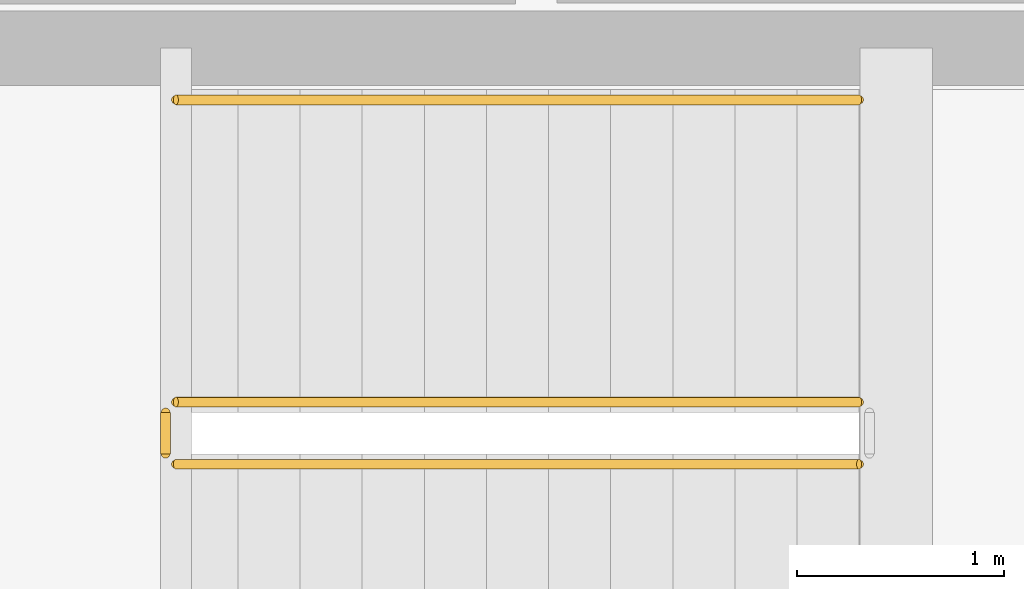
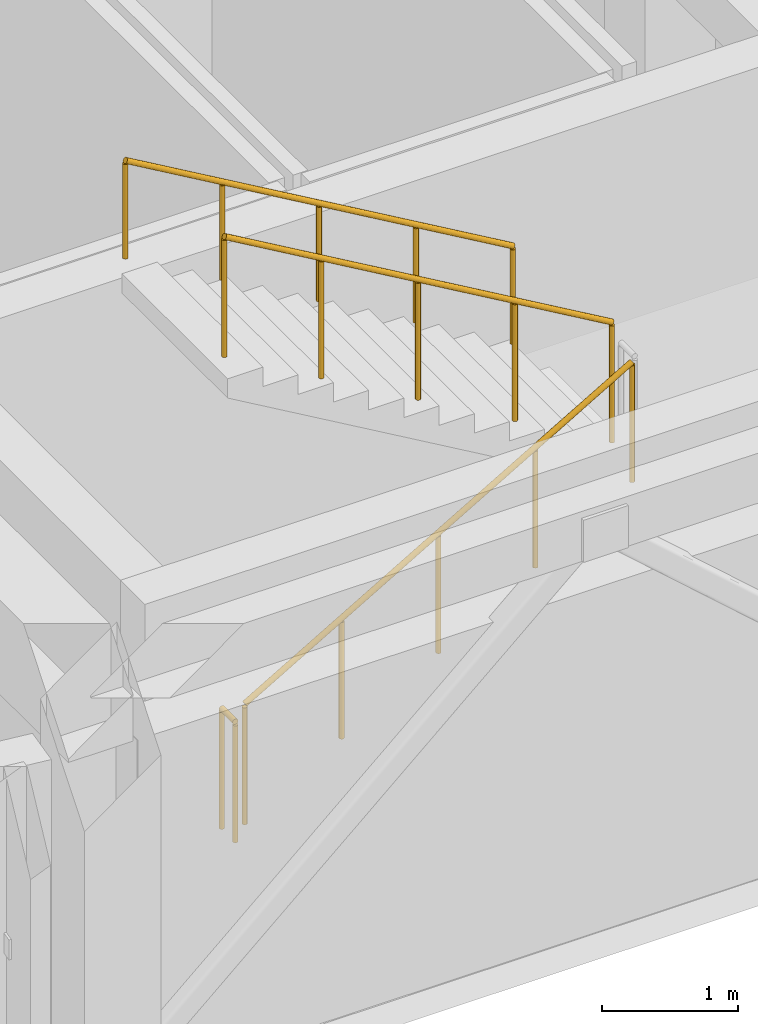
# One storey, part 24 of 29: 4 railings.
"""IFC4 building model written with IfcOpenShell, lengths in metres."""

import ifcopenshell
import ifcopenshell.guid

model = None  # the IFC model being written
_history = None  # IfcOwnerHistory: only IFC2X3 demands one
_inside = {}  # id of a spatial element -> (the spatial element, [elements in it])
_under = {}  # id of a project, library or spatial element -> (it, [spatial elements below it])
_declared = {}  # id of a project -> (the project, [libraries it declares])
_typed = {}  # id of a type object -> (the type object, [elements of that type])
_made_of = {}  # id of a material, layer set ... -> (it, [elements and type objects made of it])


def new_model(schema):
    """Start an empty IFC model of exactly this schema.

    Asked for "IFC4X3", IfcOpenShell would pick the latest addendum, in which some entities
    have other attributes; the version numbers below select the first issue.
    IFC2X3 requires an IfcOwnerHistory on every rooted entity: one is made here for all.
    """
    global model, _history
    if schema == "IFC4X3":
        model = ifcopenshell.file(schema_version=(4, 3, 0, 0))
    else:
        model = ifcopenshell.file(schema=schema)
    _inside.clear()
    _under.clear()
    _declared.clear()
    _typed.clear()
    _made_of.clear()
    _history = None
    if model.schema == "IFC2X3":
        org = make("IfcOrganization", Name="unknown")
        user = make(
            "IfcPersonAndOrganization",
            ThePerson=make("IfcPerson", FamilyName="unknown"),
            TheOrganization=org,
        )
        app = make(
            "IfcApplication",
            ApplicationDeveloper=org,
            Version="unknown",
            ApplicationFullName="unknown",
            ApplicationIdentifier="unknown",
        )
        _history = make(
            "IfcOwnerHistory",
            OwningUser=user,
            OwningApplication=app,
            ChangeAction="ADDED",
            CreationDate=0,
        )
    return model


def make(cls, **values):
    """One entity of the class cls with the attributes given. An attribute that is None is left unset."""
    return model.create_entity(
        cls, **{name: value for name, value in values.items() if value is not None}
    )


def rooted(cls, **values):
    """An entity with a GlobalId (a new one), such as an element, a storey or a relation."""
    return make(cls, GlobalId=ifcopenshell.guid.new(), OwnerHistory=_history, **values)


def si_unit(unit_type, name, prefix=None):
    """IfcSIUnit, for example si_unit("LENGTHUNIT", "METRE", prefix="MILLI")."""
    return make("IfcSIUnit", UnitType=unit_type, Prefix=prefix, Name=name)


def assignment(units):
    """IfcUnitAssignment: the units of a project."""
    return None if units is None else make("IfcUnitAssignment", Units=units)


def point(xyz):
    """IfcCartesianPoint."""
    return None if xyz is None else make("IfcCartesianPoint", Coordinates=xyz)


def direction(xyz):
    """IfcDirection."""
    return None if xyz is None else make("IfcDirection", DirectionRatios=xyz)


def frame(location, z_axis=None, x_axis=None):
    """IfcAxis2Placement3D, a coordinate frame: its origin and axes. An axis left out is left unset."""
    return make(
        "IfcAxis2Placement3D",
        Location=point(location),
        Axis=direction(z_axis),
        RefDirection=direction(x_axis),
    )


def frame_2d(location, x_axis=None):
    """IfcAxis2Placement2D, a coordinate frame in the plane: its origin and x axis."""
    return make(
        "IfcAxis2Placement2D", Location=point(location), RefDirection=direction(x_axis)
    )


def origin():
    """The frame at (0, 0, 0) with its axes left unset."""
    return frame((0.0, 0.0, 0.0))


def origin_2d():
    """The frame at (0, 0) in the plane with its x axis left unset."""
    return frame_2d((0.0, 0.0))


def place(relative_to, where):
    """IfcLocalPlacement: puts the frame where relative to a parent placement (None: the world)."""
    return make(
        "IfcLocalPlacement", PlacementRelTo=relative_to, RelativePlacement=where
    )


def context(
    kind, dimensions, precision=None, world=None, true_north=None, identifier=None
):
    """IfcGeometricRepresentationContext, for example the 3D "Model" context."""
    return make(
        "IfcGeometricRepresentationContext",
        ContextIdentifier=identifier,
        ContextType=kind,
        CoordinateSpaceDimension=dimensions,
        Precision=precision,
        WorldCoordinateSystem=world,
        TrueNorth=true_north,
    )


def subcontext(parent, identifier, kind, view, scale=None):
    """IfcGeometricRepresentationSubContext, for example "Body" below "Model"."""
    return make(
        "IfcGeometricRepresentationSubContext",
        ContextIdentifier=identifier,
        ContextType=kind,
        ParentContext=parent,
        TargetScale=scale,
        TargetView=view,
    )


def project(units=None, contexts=None):
    """IfcProject with its units and contexts."""
    return rooted(
        "IfcProject",
        Name="project",
        RepresentationContexts=contexts,
        UnitsInContext=assignment(units),
    )


def spatial(cls, under=None, at=None, **own):
    """A site, building, storey or space (cls), placed at a placement, below another one or the project."""
    s = rooted(cls, ObjectPlacement=at, **own)
    if under is not None:
        _under.setdefault(under.id(), (under, []))[1].append(s)
    return s


def profile(cls, at=None, kind="AREA", **sizes):
    """A parametric profile (cls). Its sizes go by their IFC names, for example OverallWidth=200.0."""
    return make(cls, ProfileType=kind, Position=at, **sizes)


def circle(**sizes):
    """IfcCircleProfileDef."""
    return profile("IfcCircleProfileDef", **sizes)


def extrude(swept, where, along, depth):
    """IfcExtrudedAreaSolid: the profile swept, set in the frame where, extruded along a direction by depth."""
    return make(
        "IfcExtrudedAreaSolid",
        SweptArea=swept,
        Position=where,
        ExtrudedDirection=direction(along),
        Depth=depth,
    )


def shape(context_of_items, identifier, shape_type, items):
    """IfcShapeRepresentation: the items that make up one representation, for example the "Body"."""
    return make(
        "IfcShapeRepresentation",
        ContextOfItems=context_of_items,
        RepresentationIdentifier=identifier,
        RepresentationType=shape_type,
        Items=items,
    )


def material(Name=None, Category=None):
    """IfcMaterial."""
    return make("IfcMaterial", Name=Name, Category=Category)


def made_of(thing, what):
    """Note that an element or type object is made of a material, layer set ...; save() writes the relation."""
    if what is not None:
        _made_of.setdefault(what.id(), (what, []))[1].append(thing)
    return thing


def type_object(cls, material=None, **own):
    """A type object (cls), such as IfcWallType, which elements share."""
    return made_of(rooted(cls, **own), material)


def element(
    cls,
    number,
    at=None,
    inside=None,
    cuts=None,
    type_object=None,
    material=None,
    context=None,
    identifier="Body",
    shape_type=None,
    held_by="IfcProductDefinitionShape",
    body=None,
    shapes=None,
    **own,
):
    """One element of the class cls, such as IfcWall. Its Tag is "e" and its number.

    at: its placement. inside: the storey or other place that contains it. cuts: it is an
    opening in that element (IfcRelVoidsElement). A single representation is given by context,
    identifier, shape_type and body (its items); several are given by shapes. held_by: the class
    of the entity that holds the representations. save() writes the other relations.
    """
    e = rooted(cls, Tag="e%d" % number, ObjectPlacement=at, **own)
    if body is not None:
        shapes = [shape(context, identifier, shape_type, body)]
    if shapes is not None:
        e.Representation = make(held_by, Representations=shapes)
    if inside is not None:
        _inside.setdefault(inside.id(), (inside, []))[1].append(e)
    if cuts is not None:
        rooted(
            "IfcRelVoidsElement", RelatingBuildingElement=cuts, RelatedOpeningElement=e
        )
    if type_object is not None:
        _typed.setdefault(type_object.id(), (type_object, []))[1].append(e)
    return made_of(e, material)


def aggregate(whole, parts):
    """IfcRelAggregates: a whole, such as a stair, and the parts it consists of."""
    return rooted("IfcRelAggregates", RelatingObject=whole, RelatedObjects=parts)


def save(model, path):
    """Write the relations noted so far, then the file.

    IfcRelAggregates (storeys below a building ...), IfcRelContainedInSpatialStructure (elements
    in a storey), IfcRelDefinesByType, IfcRelAssociatesMaterial and IfcRelDeclares: one each for
    every whole, place, type object, material and project.
    """
    for whole, parts in _under.values():
        aggregate(whole, parts)
    for where, things in _inside.values():
        rooted(
            "IfcRelContainedInSpatialStructure",
            RelatedElements=things,
            RelatingStructure=where,
        )
    for kind, things in _typed.values():
        rooted("IfcRelDefinesByType", RelatedObjects=things, RelatingType=kind)
    for what, things in _made_of.values():
        rooted("IfcRelAssociatesMaterial", RelatedObjects=things, RelatingMaterial=what)
    for by, libraries in _declared.values():
        rooted("IfcRelDeclares", RelatingContext=by, RelatedDefinitions=libraries)
    model.write(path)


model = new_model("IFC4")

# Units and contexts
model_context = context("Model", 3, precision=1e-05, world=origin(), true_north=direction((0.0, 1.0)))
body_context = subcontext(model_context, "Body", "Model", "MODEL_VIEW")
ifc_project = project(units=[si_unit("LENGTHUNIT", "METRE"), si_unit("AREAUNIT", "SQUARE_METRE"), si_unit("VOLUMEUNIT", "CUBIC_METRE"), si_unit("PLANEANGLEUNIT", "RADIAN"), si_unit("MASSUNIT", "GRAM", prefix="KILO")], contexts=[model_context])

# Site, building, storey
site_placement = place(None, origin())
site = spatial("IfcSite", under=ifc_project, at=site_placement, CompositionType="ELEMENT")
building_placement = place(site_placement, origin())
building = spatial("IfcBuilding", under=site, at=building_placement, Name="Tarnavel Promenade Courthouse", CompositionType="ELEMENT")
storey_placement = place(building_placement, frame((0.0, 0.0, 22.800048828125)))
storey = spatial("IfcBuildingStorey", under=building, at=storey_placement, Name="L06", CompositionType="ELEMENT", Elevation=22.800048828125)

# Railings
ifc_material_1 = material(Name="Brushed Bronze Tubular Stair Handrail")
railing_type_1 = type_object("IfcRailingType", Name="Brushed Bronze Tubular Stair Handrail (RL-HND-0900)", PredefinedType="HANDRAIL", material=ifc_material_1)
railing_1_placement = place(storey_placement, frame((64.659912109375, 83.27001953125, 2.27490234375)))
element("IfcRailing", 1, at=railing_1_placement, inside=storey, type_object=railing_type_1, Name="L06 ST-01 stair handrail 2", PredefinedType="HANDRAIL", context=body_context, shape_type="SweptSolid", body=[
    extrude(circle(Radius=0.02392578125, at=origin_2d()), frame((0.0, 0.0, 0.8759765625), z_axis=(-0.863760357493, 0.0, 0.503902812876), x_axis=(0.0, -1.0, 0.0)), (0.0, 0.0, 1.0), 3.8203125),
    extrude(circle(Radius=0.02099609375, at=origin_2d()), origin(), (0.0, 0.0, 1.0), 0.851806640625),
    extrude(circle(Radius=0.02099609375, at=origin_2d()), frame((-0.824951171875, 0.0, 0.481201171875)), (0.0, 0.0, 1.0), 0.851806640625),
    extrude(circle(Radius=0.02099609375, at=origin_2d()), frame((-1.64990234375, 0.0, 0.96240234375)), (0.0, 0.0, 1.0), 0.851806640625),
    extrude(circle(Radius=0.02099609375, at=origin_2d()), frame((-2.474853515625, 0.0, 1.44384765625)), (0.0, 0.0, 1.0), 0.851806640625),
    extrude(circle(Radius=0.02099609375, at=origin_2d()), frame((-3.2998046875, 0.0, 1.925048828125)), (0.0, 0.0, 1.0), 0.851806640625),
])
ifc_material_2 = material(Name="Painted Architectural Steel Core Stair Guardrail", Category="steel")
railing_type_2 = type_object("IfcRailingType", Name="Painted Architectural Steel Core Stair Guardrail (RL-GRD-1100)", PredefinedType="GUARDRAIL", material=ifc_material_2)
railing_2_placement = place(storey_placement, frame((61.360107421875, 81.510009765625, 0.175048828125)))
element("IfcRailing", 2, at=railing_2_placement, inside=storey, type_object=railing_type_2, Name="L06 ST-01 stair guard 1", PredefinedType="GUARDRAIL", context=body_context, shape_type="SweptSolid", body=[
    extrude(circle(Radius=0.02392578125, at=origin_2d()), frame((0.0, 0.0, 1.076171875), z_axis=(0.863788172461, 0.0, 0.503855131081), x_axis=(0.0, 1.0, 0.0)), (0.0, 0.0, 1.0), 3.820068359375),
    extrude(circle(Radius=0.02099609375, at=origin_2d()), origin(), (0.0, 0.0, 1.0), 1.052001953125),
    extrude(circle(Radius=0.02099609375, at=origin_2d()), frame((0.824951171875, 0.0, 0.481201171875)), (0.0, 0.0, 1.0), 1.052001953125),
    extrude(circle(Radius=0.02099609375, at=origin_2d()), frame((1.64990234375, 0.0, 0.96240234375)), (0.0, 0.0, 1.0), 1.052001953125),
    extrude(circle(Radius=0.02099609375, at=origin_2d()), frame((2.474853515625, 0.0, 1.443603515625)), (0.0, 0.0, 1.0), 1.052001953125),
    extrude(circle(Radius=0.02099609375, at=origin_2d()), frame((3.2998046875, 0.0, 1.9248046875)), (0.0, 0.0, 1.0), 1.052001953125),
])
railing_3_placement = place(storey_placement, frame((64.659912109375, 81.81005859375, 2.27490234375)))
element("IfcRailing", 3, at=railing_3_placement, inside=storey, type_object=railing_type_2, Name="L06 ST-01 stair guard 3", PredefinedType="GUARDRAIL", context=body_context, shape_type="SweptSolid", body=[
    extrude(circle(Radius=0.02392578125, at=origin_2d()), frame((0.0, 0.0, 1.076171875), z_axis=(-0.863760357493, 0.0, 0.503902812876), x_axis=(0.0, -1.0, 0.0)), (0.0, 0.0, 1.0), 3.8203125),
    extrude(circle(Radius=0.02099609375, at=origin_2d()), origin(), (0.0, 0.0, 1.0), 1.052001953125),
    extrude(circle(Radius=0.02099609375, at=origin_2d()), frame((-0.824951171875, 0.0, 0.481201171875)), (0.0, 0.0, 1.0), 1.052001953125),
    extrude(circle(Radius=0.02099609375, at=origin_2d()), frame((-1.64990234375, 0.0, 0.96240234375)), (0.0, 0.0, 1.0), 1.052001953125),
    extrude(circle(Radius=0.02099609375, at=origin_2d()), frame((-2.474853515625, 0.0, 1.44384765625)), (0.0, 0.0, 1.0), 1.052001953125),
    extrude(circle(Radius=0.02099609375, at=origin_2d()), frame((-3.2998046875, 0.0, 1.925048828125)), (0.0, 0.0, 1.0), 1.052001953125),
])
railing_4_placement = place(storey_placement, frame((61.31005859375, 81.56005859375, 0.0)))
element("IfcRailing", 4, at=railing_4_placement, inside=storey, type_object=railing_type_2, Name="L06 ST-01 stair guard 4", PredefinedType="GUARDRAIL", context=body_context, shape_type="SweptSolid", body=[
    extrude(circle(Radius=0.02392578125, at=origin_2d()), frame((0.0, 0.0, 1.076171875), z_axis=(0.0, 1.0, 0.0), x_axis=(-1.0, 0.0, 0.0)), (0.0, 0.0, 1.0), 0.199951171875),
    extrude(circle(Radius=0.02099609375, at=origin_2d()), origin(), (0.0, 0.0, 1.0), 1.052001953125),
    extrude(circle(Radius=0.02099609375, at=origin_2d()), frame((0.0, 0.199951171875, 0.0)), (0.0, 0.0, 1.0), 1.052001953125),
])

save(model, "model.ifc")
